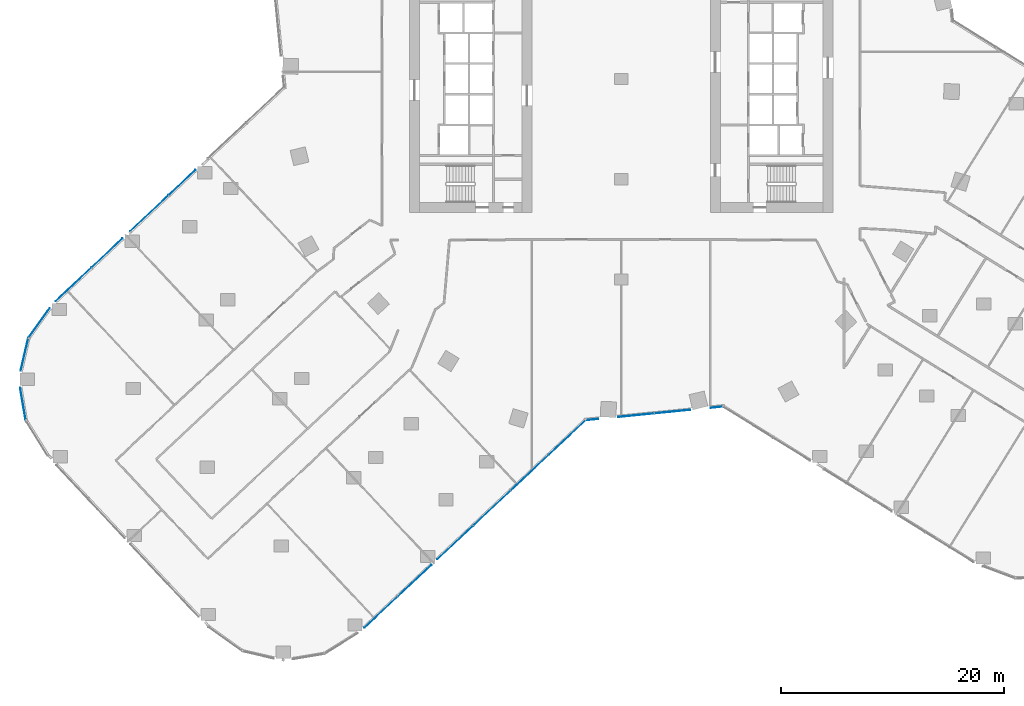
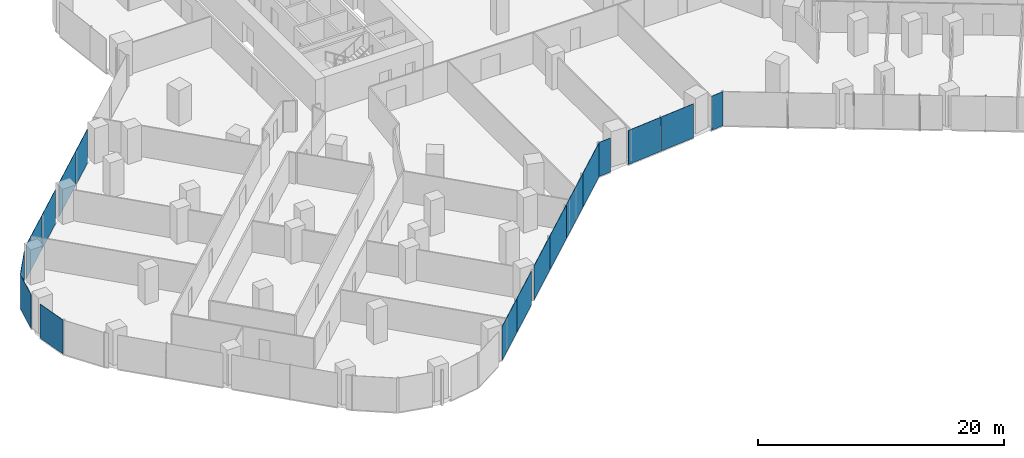
# One storey, part 18 of 34: 17 plates, 6 elements without a shape of their own.
"""IFC4 building model written with IfcOpenShell, lengths in metres."""

from ifc_helpers import new_model, si_unit, direction, frame, origin, origin_2d, place, context, subcontext, project, spatial, rectangle, extrude, material, layer, layer_set, type_object, element, aggregate, save


model = new_model("IFC4")

# Units and contexts
model_context = context("Model", 3, precision=1e-05, world=origin(), true_north=direction((0.0, 1.0)))
body_context = subcontext(model_context, "Body", "Model", "MODEL_VIEW")
ifc_project = project(units=[si_unit("LENGTHUNIT", "METRE"), si_unit("AREAUNIT", "SQUARE_METRE"), si_unit("VOLUMEUNIT", "CUBIC_METRE"), si_unit("PLANEANGLEUNIT", "RADIAN"), si_unit("MASSUNIT", "GRAM", prefix="KILO")], contexts=[model_context])

# Site, building, storey
site_placement = place(None, origin())
site = spatial("IfcSite", under=ifc_project, at=site_placement, CompositionType="ELEMENT")
building_placement = place(site_placement, origin())
building = spatial("IfcBuilding", under=site, at=building_placement, Name="Orlundy Tower", CompositionType="ELEMENT")
storey_placement = place(building_placement, frame((0.0, 0.0, 40.800048828125)))
storey = spatial("IfcBuildingStorey", under=building, at=storey_placement, Name="L08", CompositionType="ELEMENT", Elevation=40.800048828125)

# Curtain wall, plates
ifc_material_1 = material(Name="Aluminium bronze anodised", Category="aluminium")
curtain_wall_type = type_object("IfcCurtainWallType", Name="CW1 wall", PredefinedType="NOTDEFINED", material=ifc_material_1)
curtain_wall_1_placement = place(storey_placement, origin())
curtain_wall_1 = element("IfcCurtainWall", 1, at=curtain_wall_1_placement, inside=storey, type_object=curtain_wall_type, Name="CW1 run 00", PredefinedType="NOTDEFINED")
ifc_material_2 = material(Name="Tinted glass", Category="glass")
ifc_layer = layer(ifc_material_2, 0.031982421875)
ifc_layer_set = layer_set([ifc_layer], Name="CW1 glass panel 32")
plate_type = type_object("IfcPlateType", Name="CW1 glass panel 32", PredefinedType="CURTAIN_PANEL", material=ifc_layer_set)
plate_1_placement = place(storey_placement, frame((-49.14013671875, -18.446044921875, -0.300048828125), z_axis=(0.0, 0.0, 1.0), x_axis=(0.729351371178, 0.684139296752, 0.0)))
plate_1 = element("IfcPlate", 2, at=plate_1_placement, type_object=plate_type, Name="CW1 panel", PredefinedType="CURTAIN_PANEL", context=body_context, shape_type="SweptSolid", body=[
    extrude(rectangle(XDim=4.3818359375, YDim=0.031982421875, at=origin_2d()), origin(), (0.0, 0.0, 1.0), 3.3798828125),
])
plate_2_placement = place(storey_placement, frame((-46.118408203125, -15.611572265625, -0.300048828125), z_axis=(0.0, 0.0, 1.0), x_axis=(0.729351371178, 0.684139296752, 0.0)))
plate_2 = element("IfcPlate", 3, at=plate_2_placement, type_object=plate_type, Name="CW1 panel", PredefinedType="CURTAIN_PANEL", context=body_context, shape_type="SweptSolid", body=[
    extrude(rectangle(XDim=3.80419921875, YDim=0.031982421875, at=origin_2d()), origin(), (0.0, 0.0, 1.0), 3.3798828125),
])
plate_3_placement = place(storey_placement, frame((-42.3212890625, -12.050048828125, -0.300048828125), z_axis=(0.0, 0.0, 1.0), x_axis=(0.729351371178, 0.684139296752, 0.0)))
plate_3 = element("IfcPlate", 4, at=plate_3_placement, type_object=plate_type, Name="CW1 panel", PredefinedType="CURTAIN_PANEL", context=body_context, shape_type="SweptSolid", body=[
    extrude(rectangle(XDim=4.705322265625, YDim=0.031982421875, at=origin_2d()), origin(), (0.0, 0.0, 1.0), 3.3798828125),
])
plate_4_placement = place(storey_placement, frame((-39.3798828125, -9.291015625, -0.300048828125), z_axis=(0.0, 0.0, 1.0), x_axis=(0.729351371178, 0.684139296752, 0.0)))
plate_4 = element("IfcPlate", 5, at=plate_4_placement, type_object=plate_type, Name="CW1 panel", PredefinedType="CURTAIN_PANEL", context=body_context, shape_type="SweptSolid", body=[
    extrude(rectangle(XDim=3.260498046875, YDim=0.031982421875, at=origin_2d()), origin(), (0.0, 0.0, 1.0), 3.3798828125),
])
aggregate(curtain_wall_1, [plate_1, plate_2, plate_3, plate_4])

curtain_wall_2_placement = place(storey_placement, origin())
curtain_wall_2 = element("IfcCurtainWall", 6, at=curtain_wall_2_placement, inside=storey, type_object=curtain_wall_type, Name="CW1 run 017", PredefinedType="NOTDEFINED")
plate_5_placement = place(storey_placement, frame((8.5810546875, -29.460693359375, -0.300048828125), z_axis=(0.0, 0.0, 1.0), x_axis=(-0.995112236774, -0.098750373279, 0.0)))
plate_5 = element("IfcPlate", 7, at=plate_5_placement, type_object=plate_type, Name="CW1 panel", PredefinedType="CURTAIN_PANEL", context=body_context, shape_type="SweptSolid", body=[
    extrude(rectangle(XDim=1.11474609375, YDim=0.031982421875, at=origin_2d()), origin(), (0.0, 0.0, 1.0), 3.3798828125),
])
plate_6_placement = place(storey_placement, frame((4.61083984375, -29.854736328125, -0.300048828125), z_axis=(0.0, 0.0, 1.0), x_axis=(-0.995112236774, -0.098750373279, 0.0)))
plate_6 = element("IfcPlate", 8, at=plate_6_placement, type_object=plate_type, Name="CW1 panel", PredefinedType="CURTAIN_PANEL", context=body_context, shape_type="SweptSolid", body=[
    extrude(rectangle(XDim=3.23046875, YDim=0.031982421875, at=origin_2d()), origin(), (0.0, 0.0, 1.0), 3.3798828125),
])
plate_7_placement = place(storey_placement, frame((1.34619140625, -30.1787109375, -0.300048828125), z_axis=(0.0, 0.0, 1.0), x_axis=(-0.995112236774, -0.098750373279, 0.0)))
plate_7 = element("IfcPlate", 9, at=plate_7_placement, type_object=plate_type, Name="CW1 panel", PredefinedType="CURTAIN_PANEL", context=body_context, shape_type="SweptSolid", body=[
    extrude(rectangle(XDim=3.23095703125, YDim=0.031982421875, at=origin_2d()), origin(), (0.0, 0.0, 1.0), 3.3798828125),
])
plate_8_placement = place(storey_placement, frame((-2.6240234375, -30.57275390625, -0.300048828125), z_axis=(0.0, 0.0, 1.0), x_axis=(-0.995112236774, -0.098750373279, 0.0)))
plate_8 = element("IfcPlate", 10, at=plate_8_placement, type_object=plate_type, Name="CW1 panel", PredefinedType="CURTAIN_PANEL", context=body_context, shape_type="SweptSolid", body=[
    extrude(rectangle(XDim=1.1142578125, YDim=0.031982421875, at=origin_2d()), origin(), (0.0, 0.0, 1.0), 3.3798828125),
])
aggregate(curtain_wall_2, [plate_5, plate_6, plate_7, plate_8])

curtain_wall_3_placement = place(storey_placement, origin())
curtain_wall_3 = element("IfcCurtainWall", 11, at=curtain_wall_3_placement, inside=storey, type_object=curtain_wall_type, Name="CW1 run 018", PredefinedType="NOTDEFINED")
plate_9_placement = place(storey_placement, frame((-4.837646484375, -32.18408203125, -0.300048828125), z_axis=(0.0, 0.0, 1.0), x_axis=(-0.729365455086, -0.684124281784, 0.0)))
plate_9 = element("IfcPlate", 12, at=plate_9_placement, type_object=plate_type, Name="CW1 panel", PredefinedType="CURTAIN_PANEL", context=body_context, shape_type="SweptSolid", body=[
    extrude(rectangle(XDim=4.550048828125, YDim=0.031982421875, at=origin_2d()), origin(), (0.0, 0.0, 1.0), 3.3798828125),
])
plate_10_placement = place(storey_placement, frame((-8.2041015625, -35.341552734375, -0.300048828125), z_axis=(0.0, 0.0, 1.0), x_axis=(-0.729365455086, -0.684124281784, 0.0)))
plate_10 = element("IfcPlate", 13, at=plate_10_placement, type_object=plate_type, Name="CW1 panel", PredefinedType="CURTAIN_PANEL", context=body_context, shape_type="SweptSolid", body=[
    extrude(rectangle(XDim=4.580810546875, YDim=0.031982421875, at=origin_2d()), origin(), (0.0, 0.0, 1.0), 3.3798828125),
])
plate_11_placement = place(storey_placement, frame((-11.58154296875, -38.509521484375, -0.300048828125), z_axis=(0.0, 0.0, 1.0), x_axis=(-0.729365455086, -0.684124281784, 0.0)))
plate_11 = element("IfcPlate", 14, at=plate_11_placement, type_object=plate_type, Name="CW1 panel", PredefinedType="CURTAIN_PANEL", context=body_context, shape_type="SweptSolid", body=[
    extrude(rectangle(XDim=4.580810546875, YDim=0.031982421875, at=origin_2d()), origin(), (0.0, 0.0, 1.0), 3.3798828125),
])
plate_12_placement = place(storey_placement, frame((-14.8876953125, -41.61083984375, -0.300048828125), z_axis=(0.0, 0.0, 1.0), x_axis=(-0.729365455086, -0.684124281784, 0.0)))
plate_12 = element("IfcPlate", 15, at=plate_12_placement, type_object=plate_type, Name="CW1 panel", PredefinedType="CURTAIN_PANEL", context=body_context, shape_type="SweptSolid", body=[
    extrude(rectangle(XDim=4.38525390625, YDim=0.031982421875, at=origin_2d()), origin(), (0.0, 0.0, 1.0), 3.3798828125),
])
plate_13_placement = place(storey_placement, frame((-18.51318359375, -45.01123046875, -0.300048828125), z_axis=(0.0, 0.0, 1.0), x_axis=(-0.729365455086, -0.684124281784, 0.0)))
plate_13 = element("IfcPlate", 16, at=plate_13_placement, type_object=plate_type, Name="CW1 panel", PredefinedType="CURTAIN_PANEL", context=body_context, shape_type="SweptSolid", body=[
    extrude(rectangle(XDim=4.096435546875, YDim=0.031982421875, at=origin_2d()), origin(), (0.0, 0.0, 1.0), 3.3798828125),
])
plate_14_placement = place(storey_placement, frame((-21.53515625, -47.845947265625, -0.300048828125), z_axis=(0.0, 0.0, 1.0), x_axis=(-0.729365455086, -0.684124281784, 0.0)))
plate_14 = element("IfcPlate", 17, at=plate_14_placement, type_object=plate_type, Name="CW1 panel", PredefinedType="CURTAIN_PANEL", context=body_context, shape_type="SweptSolid", body=[
    extrude(rectangle(XDim=4.090576171875, YDim=0.031982421875, at=origin_2d()), origin(), (0.0, 0.0, 1.0), 3.3798828125),
])
aggregate(curtain_wall_3, [plate_9, plate_10, plate_11, plate_12, plate_13, plate_14])

# Curtain wall, plate
curtain_wall_4_placement = place(storey_placement, origin())
curtain_wall_4 = element("IfcCurtainWall", 18, at=curtain_wall_4_placement, inside=storey, type_object=curtain_wall_type, Name="CW1 run 025", PredefinedType="NOTDEFINED")
plate_15_placement = place(storey_placement, frame((-53.670654296875, -29.17041015625, -0.300048828125), z_axis=(0.0, 0.0, 1.0), x_axis=(-0.163480241914, 0.986546608379, 0.0)))
plate_15 = element("IfcPlate", 19, at=plate_15_placement, type_object=plate_type, Name="CW1 panel", PredefinedType="CURTAIN_PANEL", context=body_context, shape_type="SweptSolid", body=[
    extrude(rectangle(XDim=2.9873046875, YDim=0.031982421875, at=origin_2d()), origin(), (0.0, 0.0, 1.0), 3.3798828125),
])
aggregate(curtain_wall_4, [plate_15])

curtain_wall_5_placement = place(storey_placement, origin())
curtain_wall_5 = element("IfcCurtainWall", 20, at=curtain_wall_5_placement, inside=storey, type_object=curtain_wall_type, Name="CW1 run 026", PredefinedType="NOTDEFINED")
plate_16_placement = place(storey_placement, frame((-53.531982421875, -24.72265625, -0.300048828125), z_axis=(0.0, 0.0, 1.0), x_axis=(0.226317097073, 0.974053680026, 0.0)))
plate_16 = element("IfcPlate", 21, at=plate_16_placement, type_object=plate_type, Name="CW1 panel", PredefinedType="CURTAIN_PANEL", context=body_context, shape_type="SweptSolid", body=[
    extrude(rectangle(XDim=3.02734375, YDim=0.031982421875, at=origin_2d()), origin(), (0.0, 0.0, 1.0), 3.3798828125),
])
aggregate(curtain_wall_5, [plate_16])

curtain_wall_6_placement = place(storey_placement, origin())
curtain_wall_6 = element("IfcCurtainWall", 22, at=curtain_wall_6_placement, inside=storey, type_object=curtain_wall_type, Name="CW1 run 027", PredefinedType="NOTDEFINED")
plate_17_placement = place(storey_placement, frame((-52.230224609375, -21.90771484375, -0.300048828125), z_axis=(0.0, 0.0, 1.0), x_axis=(0.58197810512, 0.813204454711, 0.0)))
plate_17 = element("IfcPlate", 23, at=plate_17_placement, type_object=plate_type, Name="CW1 panel", PredefinedType="CURTAIN_PANEL", context=body_context, shape_type="SweptSolid", body=[
    extrude(rectangle(XDim=3.29638671875, YDim=0.031982421875, at=origin_2d()), origin(), (0.0, 0.0, 1.0), 3.3798828125),
])
aggregate(curtain_wall_6, [plate_17])

save(model, "model.ifc")
